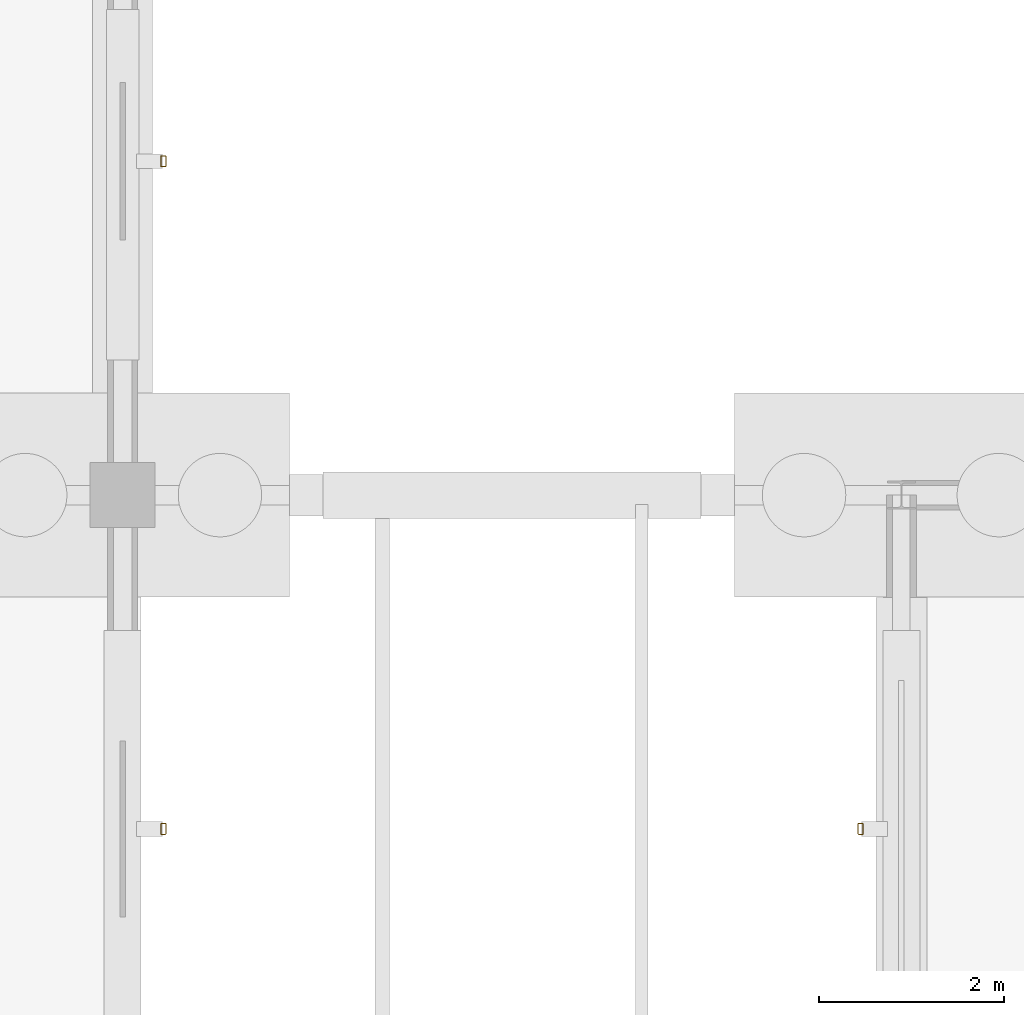
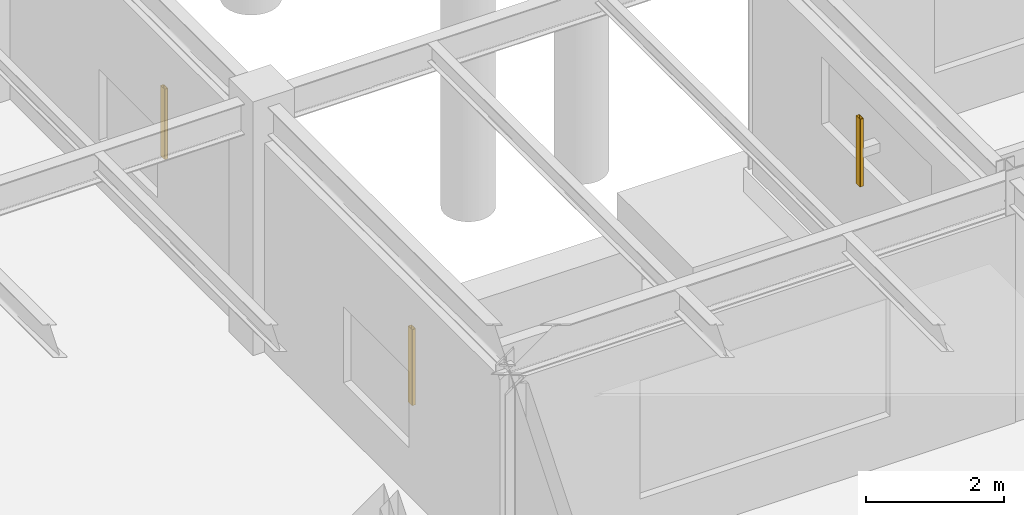
# One storey, part 78 of 93: 3 shading devices.
"""IFC4 building model written with IfcOpenShell, lengths in metres."""

from ifc_helpers import new_model, si_unit, derived_unit, direction, frame, origin, origin_2d, place, context, subcontext, project, spatial, hollow_rectangle, extrude, material, material_profile, profile_set, type_object, element, save


model = new_model("IFC4")

# Units and contexts
model_context = context("Model", 3, precision=1e-05, world=origin(), true_north=direction((0.0, 1.0)))
body_context = subcontext(model_context, "Body", "Model", "MODEL_VIEW")
ifc_project = project(units=[si_unit("LENGTHUNIT", "METRE"), si_unit("AREAUNIT", "SQUARE_METRE"), si_unit("VOLUMEUNIT", "CUBIC_METRE"), si_unit("PLANEANGLEUNIT", "RADIAN"), si_unit("MASSUNIT", "GRAM", prefix="KILO"), derived_unit("THERMALTRANSMITTANCEUNIT", [(si_unit("MASSUNIT", "GRAM", prefix="KILO"), 1), (si_unit("TIMEUNIT", "SECOND"), -3), (si_unit("THERMODYNAMICTEMPERATUREUNIT", "KELVIN"), -1)])], contexts=[model_context])

# Site, building, storey
site_placement = place(None, origin())
site = spatial("IfcSite", under=ifc_project, at=site_placement, CompositionType="ELEMENT")
building_placement = place(site_placement, origin())
building = spatial("IfcBuilding", under=site, at=building_placement, Name="Kharveza Railside Sports Centre", CompositionType="ELEMENT")
storey_placement = place(building_placement, origin())
storey = spatial("IfcBuildingStorey", under=building, at=storey_placement, Name="L00", CompositionType="ELEMENT", Elevation=0.0)

# Shading devices
ifc_material = material(Name="Anodised aluminium 6063-T6", Category="aluminium")
ifc_material_profile = material_profile(ifc_material, hollow_rectangle(XDim=0.06005859375, YDim=0.1201171875, WallThickness=0.0048828125, InnerFilletRadius=0.0048828125, OuterFilletRadius=0.010009765625, at=origin_2d()), Name="RHS 60x120x5.0")
ifc_profile_set = profile_set([ifc_material_profile], Name="Anodised aluminium 6063-T6")
shading_device_type = type_object("IfcShadingDeviceType", Name="SD-LV01", PredefinedType="JALOUSIE", material=ifc_profile_set)
shading_device_1_placement = place(storey_placement, frame((108.760009765625, 32.39990234375, 2.10009765625), z_axis=(0.0, 0.0, 1.0), x_axis=(-1.0, 0.0, 0.0)))
element("IfcShadingDevice", 1, at=shading_device_1_placement, inside=storey, type_object=shading_device_type, Name="SD-FIN-012", PredefinedType="JALOUSIE", context=body_context, shape_type="SweptSolid", body=[
    extrude(hollow_rectangle(XDim=0.06005859375, YDim=0.1201171875, WallThickness=0.0048828125, InnerFilletRadius=0.0048828125, OuterFilletRadius=0.010009765625, at=origin_2d()), origin(), (0.0, 0.0, 1.0), 1.199951171875),
])
shading_device_2_placement = place(storey_placement, frame((101.239990234375, 32.39990234375, 0.85009765625), z_axis=(0.0, 0.0, 1.0), x_axis=(1.0, 0.0, 0.0)))
element("IfcShadingDevice", 2, at=shading_device_2_placement, inside=storey, type_object=shading_device_type, Name="SD-FIN-014", PredefinedType="JALOUSIE", context=body_context, shape_type="SweptSolid", body=[
    extrude(hollow_rectangle(XDim=0.06005859375, YDim=0.1201171875, WallThickness=0.0048828125, InnerFilletRadius=0.0048828125, OuterFilletRadius=0.010009765625, at=origin_2d()), origin(), (0.0, 0.0, 1.0), 1.349853515625),
])
shading_device_3_placement = place(storey_placement, frame((101.239990234375, 39.60009765625, 0.85009765625), z_axis=(0.0, 0.0, 1.0), x_axis=(1.0, 0.0, 0.0)))
element("IfcShadingDevice", 3, at=shading_device_3_placement, inside=storey, type_object=shading_device_type, Name="SD-FIN-015", PredefinedType="JALOUSIE", context=body_context, shape_type="SweptSolid", body=[
    extrude(hollow_rectangle(XDim=0.06005859375, YDim=0.1201171875, WallThickness=0.0048828125, InnerFilletRadius=0.0048828125, OuterFilletRadius=0.010009765625, at=origin_2d()), origin(), (0.0, 0.0, 1.0), 1.25),
])

save(model, "model.ifc")
